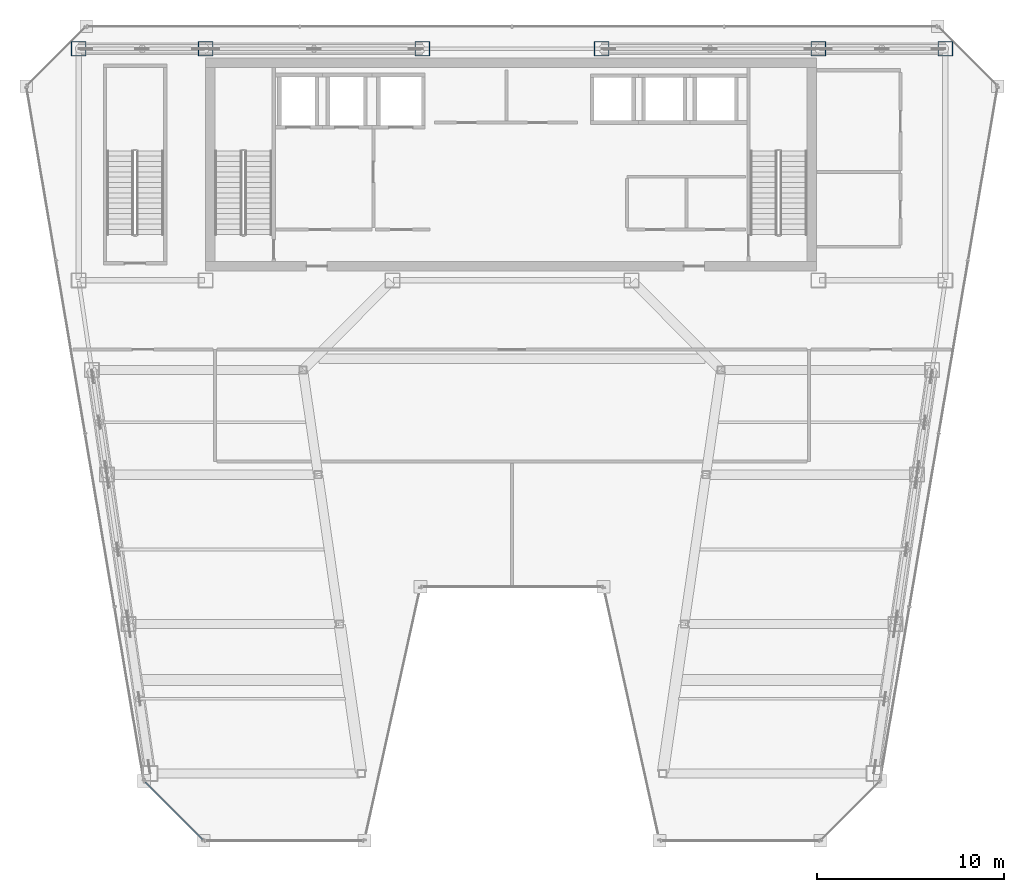
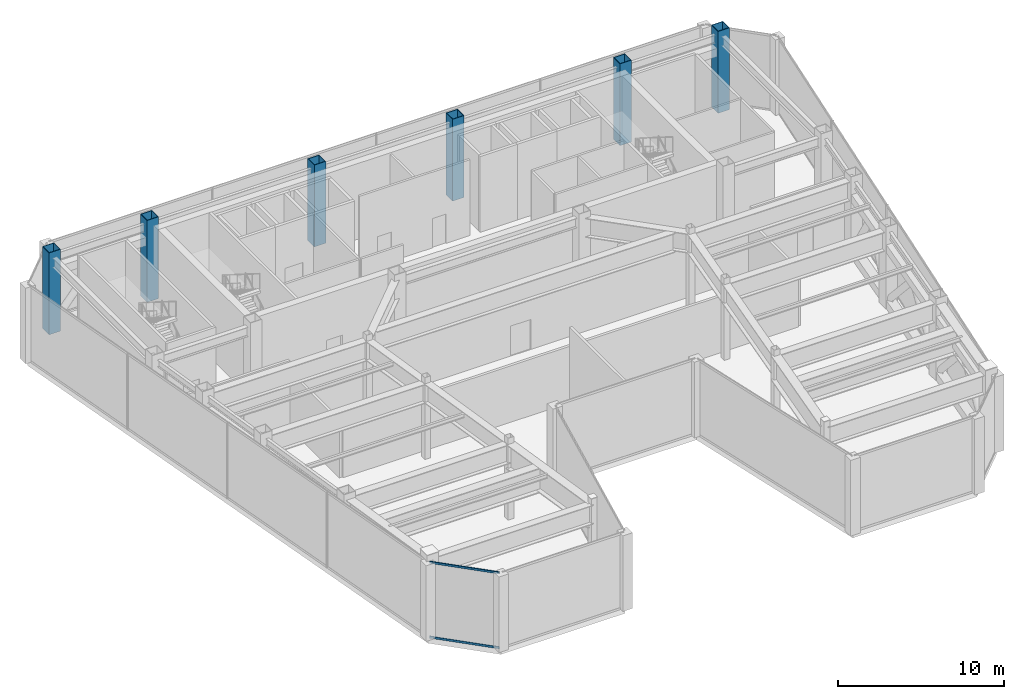
# One storey, part 2 of 34: 6 columns, 2 members, 1 element without a shape of its own.
"""IFC4 building model written with IfcOpenShell, lengths in metres."""

from ifc_helpers import new_model, si_unit, direction, frame, origin, origin_2d, place, context, subcontext, project, spatial, hollow_rectangle, extrude, material, material_profile, profile_set, type_object, element, aggregate, save


model = new_model("IFC4")

# Units and contexts
model_context = context("Model", 3, precision=1e-05, world=origin(), true_north=direction((0.0, 1.0)))
body_context = subcontext(model_context, "Body", "Model", "MODEL_VIEW")
ifc_project = project(units=[si_unit("LENGTHUNIT", "METRE"), si_unit("AREAUNIT", "SQUARE_METRE"), si_unit("VOLUMEUNIT", "CUBIC_METRE"), si_unit("PLANEANGLEUNIT", "RADIAN"), si_unit("MASSUNIT", "GRAM", prefix="KILO")], contexts=[model_context])

# Site, building, storey
site_placement = place(None, origin())
site = spatial("IfcSite", under=ifc_project, at=site_placement, CompositionType="ELEMENT")
building_placement = place(site_placement, origin())
building = spatial("IfcBuilding", under=site, at=building_placement, Name="Saevonmaru Cultural Tower", CompositionType="ELEMENT")
storey_placement = place(building_placement, frame((0.0, 0.0, 224.60009765625)))
storey = spatial("IfcBuildingStorey", under=building, at=storey_placement, Name="L52", CompositionType="ELEMENT", Elevation=224.60009765625)

# Columns
ifc_material_1 = material(Name="Steel SM420", Category="steel")
ifc_material_profile_1 = material_profile(ifc_material_1, hollow_rectangle(XDim=0.800048828125, YDim=0.800048828125, WallThickness=0.035888671875, at=origin_2d()), Name="BOX-800x800x36")
ifc_profile_set_1 = profile_set([ifc_material_profile_1], Name="Steel SM420")
column_type = type_object("IfcColumnType", Name="COL-BOX-800", PredefinedType="COLUMN", material=ifc_profile_set_1)
for number, where, z_axis, x_axis, name in (
    (1, (6.800048828125, 54.800048828125, 0.0), (0.0, 0.0, 1.0), (1.0, 0.0, 0.0), "L52 Column TC-N1N"),
    (2, (13.60009765625, 54.800048828125, 0.0), (0.0, 0.0, 1.0), (1.0, 0.0, 0.0), "L52 Column TC-N2N"),
    (3, (25.199951171875, 54.800048828125, 0.0), (0.0, 0.0, 1.0), (1.0, 0.0, 0.0), "L52 Column TC-N3N"),
    (4, (34.800048828125, 54.800048828125, 0.0), (0.0, 0.0, 1.0), (1.0, 0.0, 0.0), "L52 Column TC-N4N"),
    (5, (46.39990234375, 54.800048828125, 0.0), (0.0, 0.0, 1.0), (1.0, 0.0, 0.0), "L52 Column TC-N5N"),
    (6, (53.199951171875, 54.800048828125, 0.0), (0.0, 0.0, 1.0), (1.0, 0.0, 0.0), "L52 Column TC-N6N"),
):
    element("IfcColumn", number, at=place(storey_placement, frame(where, z_axis=z_axis, x_axis=x_axis)), inside=storey, type_object=column_type, Name=name, PredefinedType="COLUMN", context=body_context, shape_type="SweptSolid", body=[
        extrude(hollow_rectangle(XDim=0.800048828125, YDim=0.800048828125, WallThickness=0.035888671875, at=origin_2d()), origin(), (0.0, 0.0, 1.0), 6.0),
    ])

# Curtain wall, members
ifc_material_2 = material(Name="Satin Bronze Anodised Aluminium", Category="aluminium")
curtain_wall_type = type_object("IfcCurtainWallType", Name="CW-TYP-B", PredefinedType="NOTDEFINED", material=ifc_material_2)
curtain_wall_placement = place(storey_placement, origin())
curtain_wall = element("IfcCurtainWall", 7, at=curtain_wall_placement, inside=storey, type_object=curtain_wall_type, Name="L52 Wind-Floor Acoustic Louvre Screen E1", PredefinedType="NOTDEFINED")
ifc_material_profile_2 = material_profile(ifc_material_2, hollow_rectangle(XDim=0.06494140625, YDim=0.14990234375, WallThickness=0.00390625, at=origin_2d()), Name="ALU-TRAN-150x65x4")
ifc_profile_set_2 = profile_set([ifc_material_profile_2], Name="Satin Bronze Anodised Aluminium")
member_type = type_object("IfcMemberType", Name="TR-CW-150x65", PredefinedType="USERDEFINED", material=ifc_profile_set_2)
member_1_placement = place(storey_placement, frame((10.36328125, 15.53466796875, 0.032470703125), z_axis=(0.707078657222, -0.707134904033, 0.0), x_axis=(0.707134904033, 0.707078657222, 0.0)))
member_1 = element("IfcMember", 8, at=member_1_placement, type_object=member_type, Name="CW-TW-L52-E1 transom 1.1", ObjectType="TRANSOM", PredefinedType="USERDEFINED", context=body_context, shape_type="SweptSolid", body=[
    extrude(hollow_rectangle(XDim=0.06494140625, YDim=0.14990234375, WallThickness=0.00390625, at=origin_2d()), origin(), (0.0, 0.0, 1.0), 4.340576171875),
])
member_2_placement = place(storey_placement, frame((10.36328125, 15.53466796875, 5.517333984375), z_axis=(0.707078657222, -0.707134904033, 0.0), x_axis=(0.707134904033, 0.707078657222, 0.0)))
member_2 = element("IfcMember", 9, at=member_2_placement, type_object=member_type, Name="CW-TW-L52-E1 transom 1.2", ObjectType="TRANSOM", PredefinedType="USERDEFINED", context=body_context, shape_type="SweptSolid", body=[
    extrude(hollow_rectangle(XDim=0.06494140625, YDim=0.14990234375, WallThickness=0.00390625, at=origin_2d()), origin(), (0.0, 0.0, 1.0), 4.340576171875),
])
aggregate(curtain_wall, [member_1, member_2])

save(model, "model.ifc")
